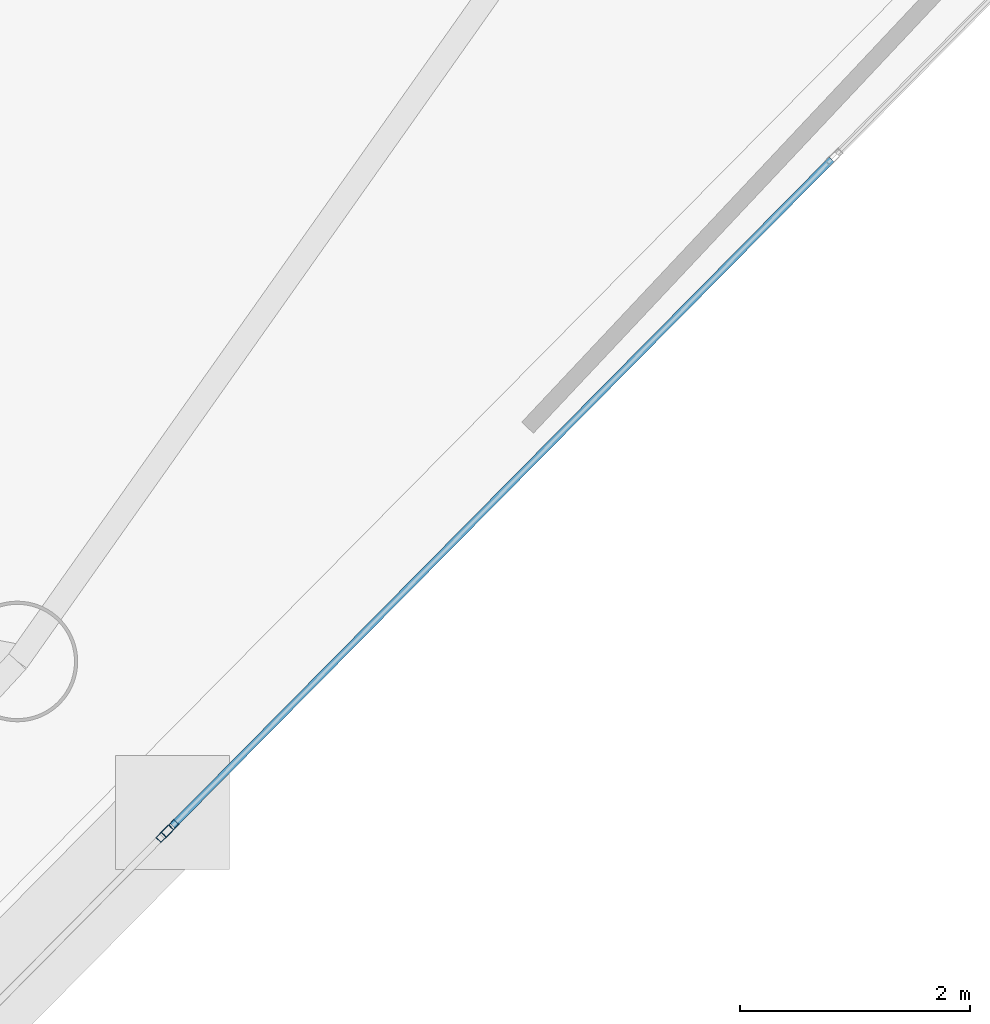
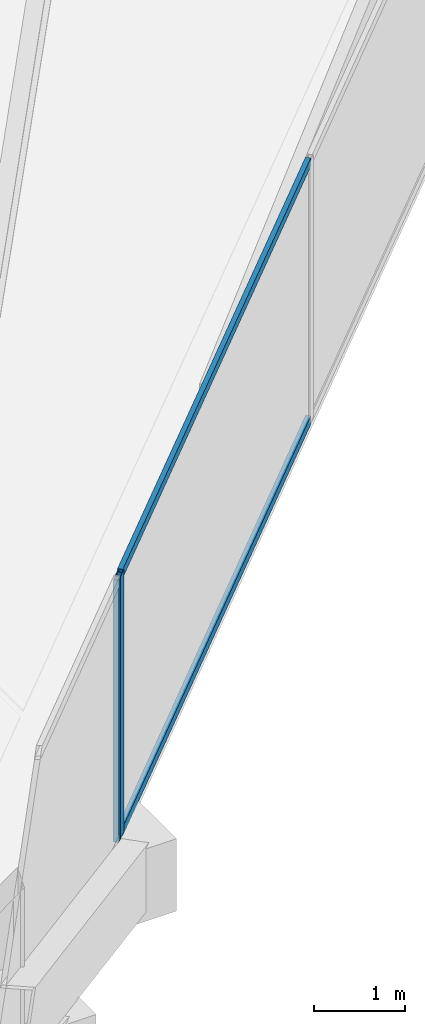
# One storey, part 6 of 20: 4 members, 2 elements without a shape of their own.
"""IFC4 building model written with IfcOpenShell, lengths in metres."""

from ifc_helpers import new_model, si_unit, direction, frame, origin, origin_2d, place, context, subcontext, project, spatial, hollow_rectangle, extrude, material, layer, layer_set, material_profile, profile_set, type_object, element, aggregate, save


model = new_model("IFC4")

# Units and contexts
model_context = context("Model", 3, precision=1e-05, world=origin(), true_north=direction((0.0, 1.0)))
body_context = subcontext(model_context, "Body", "Model", "MODEL_VIEW")
ifc_project = project(units=[si_unit("LENGTHUNIT", "METRE"), si_unit("AREAUNIT", "SQUARE_METRE"), si_unit("VOLUMEUNIT", "CUBIC_METRE"), si_unit("PLANEANGLEUNIT", "RADIAN"), si_unit("MASSUNIT", "GRAM", prefix="KILO")], contexts=[model_context])

# Site, building, storey
site_placement = place(None, origin())
site = spatial("IfcSite", under=ifc_project, at=site_placement, CompositionType="ELEMENT")
building_placement = place(site_placement, origin())
building = spatial("IfcBuilding", under=site, at=building_placement, Name="Qianvela Tower", CompositionType="ELEMENT")
storey_placement = place(building_placement, frame((0.0, 0.0, 239.0)))
storey = spatial("IfcBuildingStorey", under=building, at=storey_placement, Name="L61", CompositionType="ELEMENT", Elevation=239.0)

# Curtain wall, member
ifc_material_1 = material(Name="Anodised Architectural Aluminium and Insulated Spandrel Panel", Category="aluminium")
ifc_layer_1 = layer(ifc_material_1, 0.179931640625)
ifc_layer_set_1 = layer_set([ifc_layer_1], Name="Anodised Architectural Aluminium and Insulated Spandrel Panel")
curtain_wall_type_1 = type_object("IfcCurtainWallType", Name="CW-BRACEBAY", PredefinedType="USERDEFINED", material=ifc_layer_set_1)
curtain_wall_1_placement = place(storey_placement, origin())
curtain_wall_1 = element("IfcCurtainWall", 1, at=curtain_wall_1_placement, inside=storey, type_object=curtain_wall_type_1, Name="L61 CW-BRACEBAY Curtain Wall 06A", ObjectType="CURTAIN_WALL_SYSTEM", PredefinedType="USERDEFINED")
ifc_material_2 = material(Name="Anodised Architectural Aluminium 6063-T6", Category="aluminium")
ifc_material_profile_1 = material_profile(ifc_material_2, hollow_rectangle(XDim=0.06494140625, YDim=0.159912109375, WallThickness=0.0048828125, at=origin_2d()), Name="ALU-MULL-65x160")
ifc_profile_set_1 = profile_set([ifc_material_profile_1], Name="Anodised Architectural Aluminium 6063-T6")
member_type_1 = type_object("IfcMemberType", Name="CW-BRACEBAY-MULL", PredefinedType="MULLION", material=ifc_profile_set_1)
member_1_placement = place(storey_placement, frame((46.71826171875, 19.10009765625, 0.0), z_axis=(0.0, 0.0, 1.0), x_axis=(-0.71096174765, 0.703230682905, 0.0)))
member_1 = element("IfcMember", 2, at=member_1_placement, type_object=member_type_1, Name="CW-9 mullion 3", PredefinedType="MULLION", context=body_context, shape_type="SweptSolid", body=[
    extrude(hollow_rectangle(XDim=0.06494140625, YDim=0.159912109375, WallThickness=0.0048828125, at=origin_2d()), origin(), (0.0, 0.0, 1.0), 3.52001953125),
])
aggregate(curtain_wall_1, [member_1])

# Curtain wall, members
ifc_material_3 = material(Name="Anodised Architectural Aluminium and Low-E Glass", Category="aluminium")
ifc_layer_2 = layer(ifc_material_3, 0.159912109375)
ifc_layer_set_2 = layer_set([ifc_layer_2], Name="Anodised Architectural Aluminium and Low-E Glass")
curtain_wall_type_2 = type_object("IfcCurtainWallType", Name="CW-COLIV-Z56", PredefinedType="USERDEFINED", material=ifc_layer_set_2)
curtain_wall_2_placement = place(storey_placement, origin())
curtain_wall_2 = element("IfcCurtainWall", 3, at=curtain_wall_2_placement, inside=storey, type_object=curtain_wall_type_2, Name="L61 CW-COLIV-Z56 Curtain Wall 06B", ObjectType="CURTAIN_WALL_SYSTEM", PredefinedType="USERDEFINED")
ifc_material_4 = material(Name="Anodised Architectural Aluminium 6063-T6", Category="aluminium")
ifc_material_profile_2 = material_profile(ifc_material_4, hollow_rectangle(XDim=0.06494140625, YDim=0.159912109375, WallThickness=0.0048828125, at=origin_2d()), Name="ALU-MULL-65x160")
ifc_profile_set_2 = profile_set([ifc_material_profile_2], Name="Anodised Architectural Aluminium 6063-T6")
member_type_2 = type_object("IfcMemberType", Name="CW-COLIV-Z56-MULL", PredefinedType="MULLION", material=ifc_profile_set_2)
member_2_placement = place(storey_placement, frame((46.76416015625, 19.146484375, 0.0), z_axis=(0.0, 0.0, 1.0), x_axis=(-0.710961521826, 0.703230911211, 0.0)))
member_2 = element("IfcMember", 4, at=member_2_placement, type_object=member_type_2, Name="CW-5 mullion 1", PredefinedType="MULLION", context=body_context, shape_type="SweptSolid", body=[
    extrude(hollow_rectangle(XDim=0.06494140625, YDim=0.159912109375, WallThickness=0.0048828125, at=origin_2d()), origin(), (0.0, 0.0, 1.0), 3.52001953125),
])
ifc_material_5 = material(Name="Anodised Architectural Aluminium 6063-T6", Category="aluminium")
ifc_material_profile_3 = material_profile(ifc_material_5, hollow_rectangle(XDim=0.06005859375, YDim=0.114990234375, WallThickness=0.00390625, at=origin_2d()), Name="ALU-TRAN-60x115")
ifc_profile_set_3 = profile_set([ifc_material_profile_3], Name="Anodised Architectural Aluminium 6063-T6")
member_type_3 = type_object("IfcMemberType", Name="CW-COLIV-Z56-TRAN", PredefinedType="USERDEFINED", material=ifc_profile_set_3)
member_3_placement = place(storey_placement, frame((46.786865234375, 19.16943359375, 0.030029296875), z_axis=(0.703231487326, 0.710960951976, 0.0), x_axis=(-0.710960951976, 0.703231487326, 0.0)))
member_3 = element("IfcMember", 5, at=member_3_placement, type_object=member_type_3, Name="CW-5 transom 1.1", ObjectType="TRANSOM", PredefinedType="USERDEFINED", context=body_context, shape_type="SweptSolid", body=[
    extrude(hollow_rectangle(XDim=0.06005859375, YDim=0.114990234375, WallThickness=0.00390625, at=origin_2d()), origin(), (0.0, 0.0, 1.0), 8.149169921875),
])
member_4_placement = place(storey_placement, frame((46.786865234375, 19.16943359375, 3.489990234375), z_axis=(0.703231487326, 0.710960951976, 0.0), x_axis=(-0.710960951976, 0.703231487326, 0.0)))
member_4 = element("IfcMember", 6, at=member_4_placement, type_object=member_type_3, Name="CW-5 transom 1.2", ObjectType="TRANSOM", PredefinedType="USERDEFINED", context=body_context, shape_type="SweptSolid", body=[
    extrude(hollow_rectangle(XDim=0.06005859375, YDim=0.114990234375, WallThickness=0.00390625, at=origin_2d()), origin(), (0.0, 0.0, 1.0), 8.149169921875),
])
aggregate(curtain_wall_2, [member_2, member_3, member_4])

save(model, "model.ifc")
